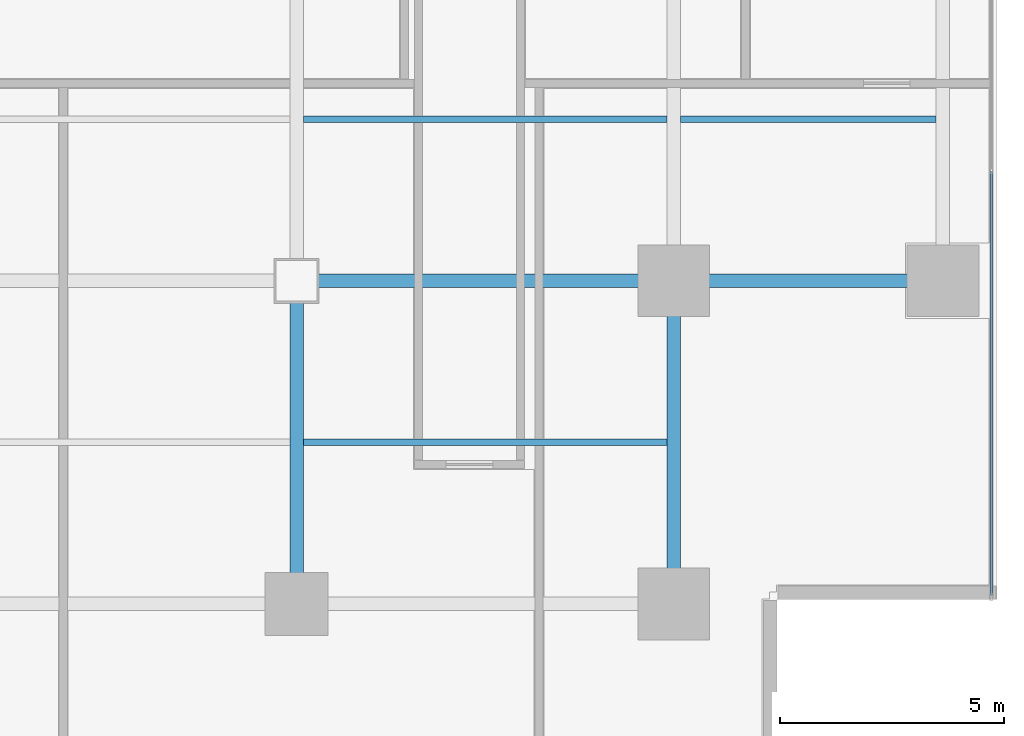
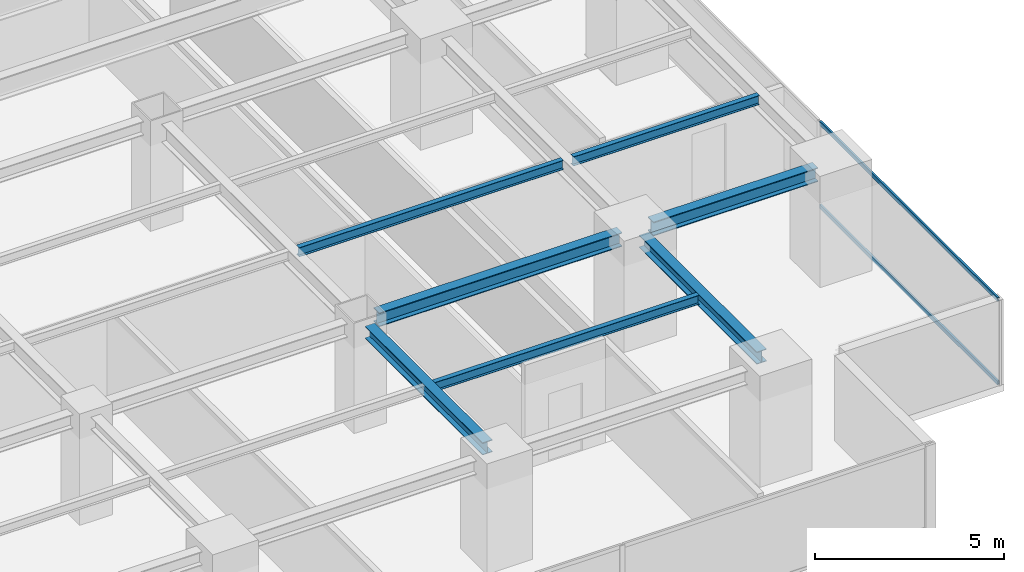
# One storey, part 10 of 28: 7 beams, 2 members, 1 element without a shape of its own.
"""IFC4 building model written with IfcOpenShell, lengths in metres."""

from ifc_helpers import new_model, si_unit, direction, frame, origin, origin_2d, place, context, subcontext, project, spatial, hollow_rectangle, i_section, extrude, source, transform, mapped, material, layer, layer_set, material_profile, profile_set, type_object, element, aggregate, save


model = new_model("IFC4")

# Units and contexts
model_context = context("Model", 3, precision=1e-05, world=origin(), true_north=direction((0.0, 1.0)))
body_context = subcontext(model_context, "Body", "Model", "MODEL_VIEW")
ifc_project = project(units=[si_unit("LENGTHUNIT", "METRE"), si_unit("AREAUNIT", "SQUARE_METRE"), si_unit("VOLUMEUNIT", "CUBIC_METRE"), si_unit("PLANEANGLEUNIT", "RADIAN"), si_unit("MASSUNIT", "GRAM", prefix="KILO")], contexts=[model_context])

# Site, building, storey
site_placement = place(None, origin())
site = spatial("IfcSite", under=ifc_project, at=site_placement, CompositionType="ELEMENT")
building_placement = place(site_placement, origin())
building = spatial("IfcBuilding", under=site, at=building_placement, Name="Sumidabori Civic Tower", CompositionType="ELEMENT")
storey_placement = place(building_placement, frame((0.0, 0.0, 171.199951171875)))
storey = spatial("IfcBuildingStorey", under=building, at=storey_placement, Name="L44", CompositionType="ELEMENT", Elevation=171.199951171875)

# Beams
ifc_material_1 = material(Name="Steel SN490", Category="steel")
ifc_material_profile_1 = material_profile(ifc_material_1, i_section(OverallWidth=0.300048828125, OverallDepth=0.39990234375, WebThickness=0.013427734375, FlangeThickness=0.02392578125, at=origin_2d()), Name="HE 400 B")
ifc_profile_set_1 = profile_set([ifc_material_profile_1], Name="Steel SN490")
beam_type_1 = type_object("IfcBeamType", Name="BM-GIRD-400", PredefinedType="BEAM", material=ifc_profile_set_1)
shared_shape_1 = source(origin(), body_context, "Body", "SweptSolid", [
    extrude(i_section(OverallWidth=0.300048828125, OverallDepth=0.39990234375, WebThickness=0.013427734375, FlangeThickness=0.02392578125, at=origin_2d()), origin(), (0.0, 0.0, 1.0), 6.239990234375),
])
for number, where, z_axis, x_axis, name in (
    (1, (8.39990234375, -17.52001953125, 3.179931640625), (0.0, 1.0, 0.0), (-1.0, 0.0, 0.0), "Primary Girder L44 GY-30"),
    (2, (16.800048828125, -17.52001953125, 3.179931640625), (0.0, 1.0, 0.0), (-1.0, 0.0, 0.0), "Primary Girder L44 GY-32"),
):
    element("IfcBeam", number, at=place(storey_placement, frame(where, z_axis=z_axis, x_axis=x_axis)), inside=storey, type_object=beam_type_1, Name=name, PredefinedType="BEAM", context=body_context, shape_type="MappedRepresentation", body=[
        mapped(shared_shape_1, transform((0.0, 0.0, 0.0), x_axis=(1.0, 0.0, 0.0), y_axis=(0.0, 1.0, 0.0), z_axis=(0.0, 0.0, 1.0), scale=1.0)),
    ])
ifc_material_profile_2 = material_profile(ifc_material_1, i_section(OverallWidth=0.14990234375, OverallDepth=0.300048828125, WebThickness=0.007080078125, FlangeThickness=0.0107421875, at=origin_2d()), Name="IPE 300")
ifc_profile_set_2 = profile_set([ifc_material_profile_2], Name="Steel SN490")
beam_type_2 = type_object("IfcBeamType", Name="BM-JST-300", PredefinedType="JOIST", material=ifc_profile_set_2)
shared_shape_2 = source(origin(), body_context, "Body", "SweptSolid", [
    extrude(i_section(OverallWidth=0.14990234375, OverallDepth=0.300048828125, WebThickness=0.007080078125, FlangeThickness=0.0107421875, at=origin_2d()), origin(), (0.0, 0.0, 1.0), 5.699951171875),
])
beam_1_placement = place(storey_placement, frame((16.949951171875, -7.199951171875, 3.22998046875), z_axis=(1.0, 0.0, 0.0), x_axis=(0.0, 1.0, 0.0)))
element("IfcBeam", 3, at=beam_1_placement, inside=storey, type_object=beam_type_2, Name="Outer Bay Floor Joist L44 JSTO-40", PredefinedType="JOIST", context=body_context, shape_type="MappedRepresentation", body=[
    mapped(shared_shape_2, transform((0.0, 0.0, 0.0), x_axis=(1.0, 0.0, 0.0), y_axis=(0.0, 1.0, 0.0), z_axis=(0.0, 0.0, 1.0), scale=1.0)),
])
shared_shape_3 = source(origin(), body_context, "Body", "SweptSolid", [
    extrude(i_section(OverallWidth=0.14990234375, OverallDepth=0.300048828125, WebThickness=0.007080078125, FlangeThickness=0.0107421875, at=origin_2d()), origin(), (0.0, 0.0, 1.0), 8.099853515625),
])
for number, where, z_axis, x_axis, name in (
    (4, (8.550048828125, -14.39990234375, 3.22998046875), (1.0, 0.0, 0.0), (0.0, 1.0, 0.0), "South Bay Floor Joist L44 JSTS-52"),
    (5, (8.550048828125, -7.199951171875, 3.22998046875), (1.0, 0.0, 0.0), (0.0, 1.0, 0.0), "South Bay Floor Joist L44 JSTS-56"),
):
    element("IfcBeam", number, at=place(storey_placement, frame(where, z_axis=z_axis, x_axis=x_axis)), inside=storey, type_object=beam_type_2, Name=name, PredefinedType="JOIST", context=body_context, shape_type="MappedRepresentation", body=[
        mapped(shared_shape_3, transform((0.0, 0.0, 0.0), x_axis=(1.0, 0.0, 0.0), y_axis=(0.0, 1.0, 0.0), z_axis=(0.0, 0.0, 1.0), scale=1.0)),
    ])
ifc_material_profile_3 = material_profile(ifc_material_1, i_section(OverallWidth=0.300048828125, OverallDepth=0.449951171875, WebThickness=0.013916015625, FlangeThickness=0.02587890625, at=origin_2d()), Name="HE 450 B")
ifc_profile_set_3 = profile_set([ifc_material_profile_3], Name="Steel SN490")
beam_type_3 = type_object("IfcBeamType", Name="BM-GIRD-450", PredefinedType="BEAM", material=ifc_profile_set_3)
shared_shape_4 = source(origin(), body_context, "Body", "SweptSolid", [
    extrude(i_section(OverallWidth=0.300048828125, OverallDepth=0.449951171875, WebThickness=0.013916015625, FlangeThickness=0.02587890625, at=origin_2d()), origin(), (0.0, 0.0, 1.0), 7.440185546875),
])
beam_2_placement = place(storey_placement, frame((8.8798828125, -10.800048828125, 3.155029296875), z_axis=(1.0, 0.0, 0.0), x_axis=(0.0, 1.0, 0.0)))
element("IfcBeam", 6, at=beam_2_placement, inside=storey, type_object=beam_type_3, Name="Primary Girder L44 GX-09", PredefinedType="BEAM", context=body_context, shape_type="MappedRepresentation", body=[
    mapped(shared_shape_4, transform((0.0, 0.0, 0.0), x_axis=(1.0, 0.0, 0.0), y_axis=(0.0, 1.0, 0.0), z_axis=(0.0, 0.0, 1.0), scale=1.0)),
])
shared_shape_5 = source(origin(), body_context, "Body", "SweptSolid", [
    extrude(i_section(OverallWidth=0.300048828125, OverallDepth=0.449951171875, WebThickness=0.013916015625, FlangeThickness=0.02587890625, at=origin_2d()), origin(), (0.0, 0.0, 1.0), 5.0400390625),
])
beam_3_placement = place(storey_placement, frame((17.280029296875, -10.800048828125, 3.155029296875), z_axis=(1.0, 0.0, 0.0), x_axis=(0.0, 1.0, 0.0)))
element("IfcBeam", 7, at=beam_3_placement, inside=storey, type_object=beam_type_3, Name="Primary Girder L44 GX-10", PredefinedType="BEAM", context=body_context, shape_type="MappedRepresentation", body=[
    mapped(shared_shape_5, transform((0.0, 0.0, 0.0), x_axis=(1.0, 0.0, 0.0), y_axis=(0.0, 1.0, 0.0), z_axis=(0.0, 0.0, 1.0), scale=1.0)),
])

# Curtain wall, members
ifc_material_2 = material(Name="Anodised Bronze Aluminium AW-6063-T6", Category="aluminium")
ifc_layer = layer(ifc_material_2, 0.179931640625, Name="Anodised Bronze Aluminium AW-6063-T6")
ifc_layer_set = layer_set([ifc_layer], Name="Anodised Bronze Aluminium AW-6063-T6")
curtain_wall_type = type_object("IfcCurtainWallType", Name="CW-SYS-3", PredefinedType="NOTDEFINED", material=ifc_layer_set)
curtain_wall_placement = place(storey_placement, origin())
curtain_wall = element("IfcCurtainWall", 8, at=curtain_wall_placement, inside=storey, type_object=curtain_wall_type, Name="Curtain Wall CW:L44:R04", PredefinedType="NOTDEFINED")
ifc_material_profile_4 = material_profile(ifc_material_2, hollow_rectangle(XDim=0.06005859375, YDim=0.1298828125, WallThickness=0.0048828125, at=origin_2d()), Name="ALU TRANSOM 130x60")
ifc_profile_set_4 = profile_set([ifc_material_profile_4], Name="Anodised Bronze Aluminium AW-6063-T6")
member_type = type_object("IfcMemberType", Name="CW-TRN-130", PredefinedType="USERDEFINED", material=ifc_profile_set_4)
shared_shape_6 = source(origin(), body_context, "Body", "SweptSolid", [
    extrude(hollow_rectangle(XDim=0.06005859375, YDim=0.1298828125, WallThickness=0.0048828125, at=origin_2d()), origin(), (0.0, 0.0, 1.0), 9.4375),
])
member_1_placement = place(storey_placement, frame((23.8798828125, -17.804931640625, 0.030029296875), z_axis=(0.0, 1.0, 0.0), x_axis=(-1.0, 0.0, 0.0)))
member_1 = element("IfcMember", 9, at=member_1_placement, type_object=member_type, Name="CW-3 transom 1.1", ObjectType="TRANSOM", PredefinedType="USERDEFINED", context=body_context, shape_type="MappedRepresentation", body=[
    mapped(shared_shape_6, transform((0.0, 0.0, 0.0), x_axis=(1.0, 0.0, 0.0), y_axis=(0.0, 1.0, 0.0), z_axis=(0.0, 0.0, 1.0), scale=1.0)),
])
member_2_placement = place(storey_placement, frame((23.8798828125, -17.804931640625, 2.72998046875), z_axis=(0.0, 1.0, 0.0), x_axis=(-1.0, 0.0, 0.0)))
member_2 = element("IfcMember", 10, at=member_2_placement, type_object=member_type, Name="CW-3 transom 1.2", ObjectType="TRANSOM", PredefinedType="USERDEFINED", context=body_context, shape_type="MappedRepresentation", body=[
    mapped(shared_shape_6, transform((0.0, 0.0, 0.0), x_axis=(1.0, 0.0, 0.0), y_axis=(0.0, 1.0, 0.0), z_axis=(0.0, 0.0, 1.0), scale=1.0)),
])
aggregate(curtain_wall, [member_1, member_2])

save(model, "model.ifc")
